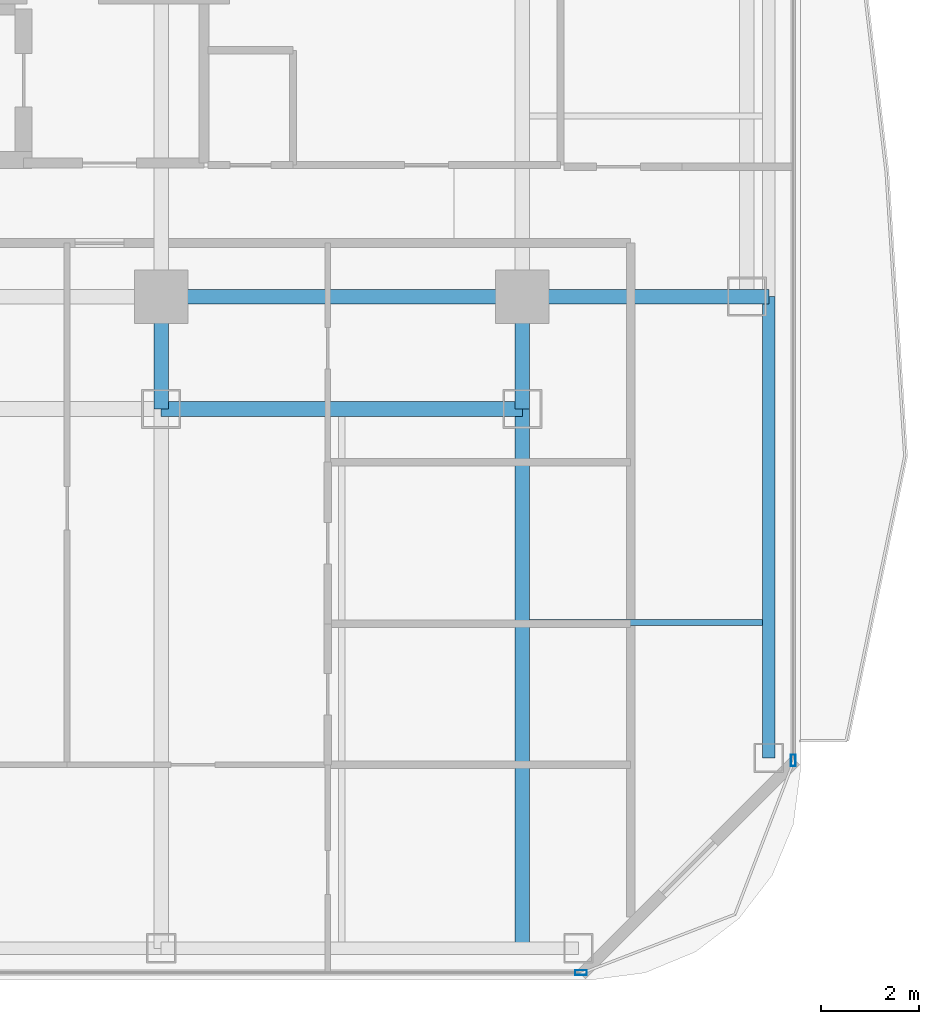
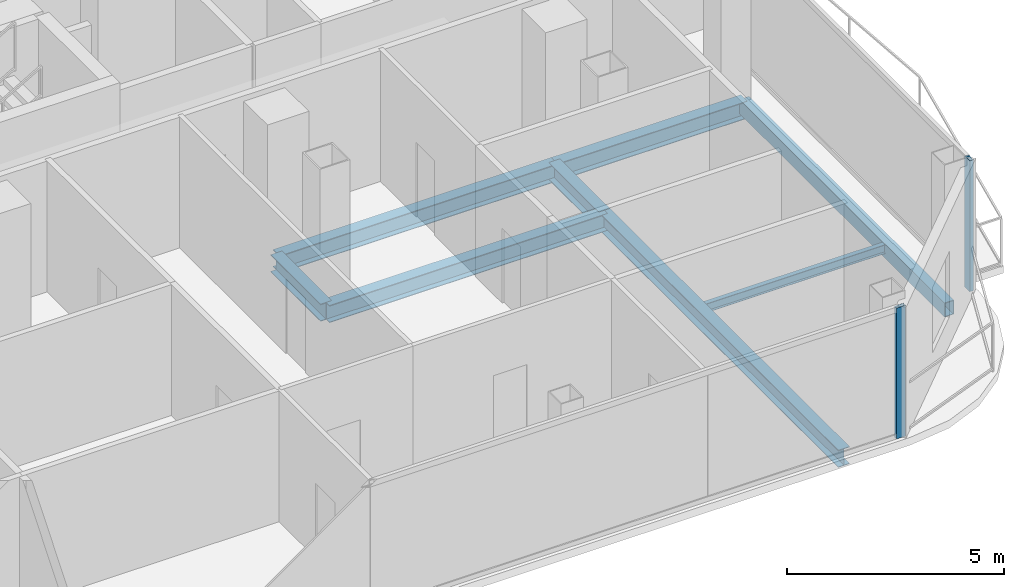
# One storey, part 7 of 23: 8 beams, 2 members, 2 elements without a shape of their own.
"""IFC4 building model written with IfcOpenShell, lengths in metres."""

from ifc_helpers import new_model, si_unit, direction, frame, origin, origin_2d, place, context, subcontext, project, spatial, hollow_rectangle, i_section, extrude, material, layer, layer_set, material_profile, profile_set, type_object, element, aggregate, save


model = new_model("IFC4")

# Units and contexts
model_context = context("Model", 3, precision=1e-05, world=origin(), true_north=direction((0.0, 1.0)))
body_context = subcontext(model_context, "Body", "Model", "MODEL_VIEW")
ifc_project = project(units=[si_unit("LENGTHUNIT", "METRE"), si_unit("AREAUNIT", "SQUARE_METRE"), si_unit("VOLUMEUNIT", "CUBIC_METRE"), si_unit("PLANEANGLEUNIT", "RADIAN"), si_unit("MASSUNIT", "GRAM", prefix="KILO")], contexts=[model_context])

# Site, building, storey
site_placement = place(None, origin())
site = spatial("IfcSite", under=ifc_project, at=site_placement, CompositionType="ELEMENT")
building_placement = place(site_placement, origin())
building = spatial("IfcBuilding", under=site, at=building_placement, Name="Khorvyn Point Tower", CompositionType="ELEMENT")
storey_placement = place(building_placement, frame((0.0, 0.0, 199.199951171875)))
storey = spatial("IfcBuildingStorey", under=building, at=storey_placement, Name="L49", CompositionType="ELEMENT", Elevation=199.199951171875)

# Curtain wall, member
ifc_material_1 = material(Name="Anodised aluminium 6063-T6 and laminated Low-E glass", Category="aluminium")
ifc_layer = layer(ifc_material_1, 0.18994140625)
ifc_layer_set = layer_set([ifc_layer], Name="Stick-Built Acoustic Curtain Wall CW-SYS-03")
curtain_wall_type = type_object("IfcCurtainWallType", Name="Stick-Built Acoustic Curtain Wall CW-SYS-03", PredefinedType="NOTDEFINED", material=ifc_layer_set)
curtain_wall_1_placement = place(storey_placement, origin())
curtain_wall_1 = element("IfcCurtainWall", 1, at=curtain_wall_1_placement, inside=storey, type_object=curtain_wall_type, Name="Curtain Wall", PredefinedType="NOTDEFINED")
ifc_material_2 = material(Name="Anodised aluminium 6063-T6", Category="aluminium")
ifc_material_profile_1 = material_profile(ifc_material_2, hollow_rectangle(XDim=0.10009765625, YDim=0.239990234375, WallThickness=0.0048828125, at=origin_2d()))
ifc_profile_set_1 = profile_set([ifc_material_profile_1], Name="Anodised aluminium 6063-T6 ALU-MUL-100x240")
member_type = type_object("IfcMemberType", Name="Anodised Aluminium 6063-T6 Mullion ALU-MUL-100x240", PredefinedType="MULLION", material=ifc_profile_set_1)
member_1_placement = place(storey_placement, frame((16.0, -28.64990234375, 0.0), z_axis=(0.0, 0.0, 1.0), x_axis=(0.0, -1.0, 0.0)))
member_1 = element("IfcMember", 2, at=member_1_placement, type_object=member_type, Name="Transom", PredefinedType="MULLION", context=body_context, shape_type="SweptSolid", body=[
    extrude(hollow_rectangle(XDim=0.10009765625, YDim=0.239990234375, WallThickness=0.0048828125, at=origin_2d()), origin(), (0.0, 0.0, 1.0), 3.679931640625),
])
aggregate(curtain_wall_1, [member_1])

curtain_wall_2_placement = place(storey_placement, origin())
curtain_wall_2 = element("IfcCurtainWall", 3, at=curtain_wall_2_placement, inside=storey, type_object=curtain_wall_type, Name="Curtain Wall", PredefinedType="NOTDEFINED")
member_2_placement = place(storey_placement, frame((20.35009765625, -24.300048828125, 0.0), z_axis=(0.0, 0.0, 1.0), x_axis=(1.0, 0.0, 0.0)))
member_2 = element("IfcMember", 4, at=member_2_placement, type_object=member_type, Name="Transom", PredefinedType="MULLION", context=body_context, shape_type="SweptSolid", body=[
    extrude(hollow_rectangle(XDim=0.10009765625, YDim=0.239990234375, WallThickness=0.0048828125, at=origin_2d()), origin(), (0.0, 0.0, 1.0), 3.679931640625),
])
aggregate(curtain_wall_2, [member_2])

# Beams
ifc_material_3 = material(Name="Steel S355", Category="steel")
ifc_material_profile_2 = material_profile(ifc_material_3, i_section(OverallWidth=0.125, OverallDepth=0.25, WebThickness=0.006103515625, FlangeThickness=0.009033203125, at=origin_2d()))
ifc_profile_set_2 = profile_set([ifc_material_profile_2], Name="Steel S355 H250x125x6x9")
beam_type_1 = type_object("IfcBeamType", Name="Steel S355 Joist H250x125x6x9", PredefinedType="JOIST", material=ifc_profile_set_2)
beam_1_placement = place(storey_placement, frame((14.949951171875, -21.47509765625, -0.344970703125), z_axis=(1.0, 0.0, 0.0), x_axis=(0.0, 1.0, 0.0)))
element("IfcBeam", 5, at=beam_1_placement, inside=storey, type_object=beam_type_1, Name="Beam", PredefinedType="JOIST", context=body_context, shape_type="SweptSolid", body=[
    extrude(i_section(OverallWidth=0.125, OverallDepth=0.25, WebThickness=0.006103515625, FlangeThickness=0.009033203125, at=origin_2d()), origin(), (0.0, 0.0, 1.0), 4.775146484375),
])
ifc_material_profile_3 = material_profile(ifc_material_3, i_section(OverallWidth=0.300048828125, OverallDepth=0.488037109375, WebThickness=0.010986328125, FlangeThickness=0.01806640625, at=origin_2d()))
ifc_profile_set_3 = profile_set([ifc_material_profile_3], Name="Steel S355 H488x300x11x18")
beam_type_2 = type_object("IfcBeamType", Name="Steel S355 Spandrel H488x300x11x18", PredefinedType="SPANDREL", material=ifc_profile_set_3)
beam_2_placement = place(storey_placement, frame((7.39990234375, -14.800048828125, -0.4638671875), z_axis=(1.0, 0.0, 0.0), x_axis=(0.0, 1.0, 0.0)))
element("IfcBeam", 6, at=beam_2_placement, inside=storey, type_object=beam_type_2, Name="Beam", PredefinedType="SPANDREL", context=body_context, shape_type="SweptSolid", body=[
    extrude(i_section(OverallWidth=0.300048828125, OverallDepth=0.488037109375, WebThickness=0.010986328125, FlangeThickness=0.01806640625, at=origin_2d()), origin(), (0.0, 0.0, 1.0), 7.400146484375),
])
beam_3_placement = place(storey_placement, frame((14.800048828125, -14.800048828125, -0.4638671875), z_axis=(1.0, 0.0, 0.0), x_axis=(0.0, 1.0, 0.0)))
element("IfcBeam", 7, at=beam_3_placement, inside=storey, type_object=beam_type_2, Name="Beam", PredefinedType="SPANDREL", context=body_context, shape_type="SweptSolid", body=[
    extrude(i_section(OverallWidth=0.300048828125, OverallDepth=0.488037109375, WebThickness=0.010986328125, FlangeThickness=0.01806640625, at=origin_2d()), origin(), (0.0, 0.0, 1.0), 5.050048828125),
])
beam_4_placement = place(storey_placement, frame((7.39990234375, -17.10009765625, -0.4638671875), z_axis=(1.0, 0.0, 0.0), x_axis=(0.0, 1.0, 0.0)))
element("IfcBeam", 8, at=beam_4_placement, inside=storey, type_object=beam_type_2, Name="Beam", PredefinedType="SPANDREL", context=body_context, shape_type="SweptSolid", body=[
    extrude(i_section(OverallWidth=0.300048828125, OverallDepth=0.488037109375, WebThickness=0.010986328125, FlangeThickness=0.01806640625, at=origin_2d()), origin(), (0.0, 0.0, 1.0), 7.400146484375),
])
beam_5_placement = place(storey_placement, frame((14.800048828125, -28.14990234375, -0.4638671875), z_axis=(0.0, 1.0, 0.0), x_axis=(-1.0, 0.0, 0.0)))
element("IfcBeam", 9, at=beam_5_placement, inside=storey, type_object=beam_type_2, Name="Beam", PredefinedType="SPANDREL", context=body_context, shape_type="SweptSolid", body=[
    extrude(i_section(OverallWidth=0.300048828125, OverallDepth=0.488037109375, WebThickness=0.010986328125, FlangeThickness=0.01806640625, at=origin_2d()), origin(), (0.0, 0.0, 1.0), 11.0498046875),
])
for number, where, z_axis, x_axis, name in (
    (10, (14.800048828125, -17.10009765625, -0.4638671875), (0.0, 1.0, 0.0), (-1.0, 0.0, 0.0), "Beam"),
    (11, (7.39990234375, -17.10009765625, -0.4638671875), (0.0, 1.0, 0.0), (-1.0, 0.0, 0.0), "Beam"),
):
    element("IfcBeam", number, at=place(storey_placement, frame(where, z_axis=z_axis, x_axis=x_axis)), inside=storey, type_object=beam_type_2, Name=name, PredefinedType="SPANDREL", context=body_context, shape_type="SweptSolid", body=[
        extrude(i_section(OverallWidth=0.300048828125, OverallDepth=0.488037109375, WebThickness=0.010986328125, FlangeThickness=0.01806640625, at=origin_2d()), origin(), (0.0, 0.0, 1.0), 2.300048828125),
    ])
ifc_material_profile_4 = material_profile(ifc_material_3, hollow_rectangle(XDim=0.25, YDim=0.39990234375, WallThickness=0.01611328125, at=origin_2d()))
ifc_profile_set_4 = profile_set([ifc_material_profile_4], Name="Steel S355 RHS400x250x16")
beam_type_3 = type_object("IfcBeamType", Name="Steel S355 Spandrel RHS400x250x16", PredefinedType="SPANDREL", material=ifc_profile_set_4)
beam_6_placement = place(storey_placement, frame((19.85009765625, -24.25, -0.419921875), z_axis=(0.0, 1.0, 0.0), x_axis=(-1.0, 0.0, 0.0)))
element("IfcBeam", 12, at=beam_6_placement, inside=storey, type_object=beam_type_3, Name="Beam", PredefinedType="SPANDREL", context=body_context, shape_type="SweptSolid", body=[
    extrude(hollow_rectangle(XDim=0.25, YDim=0.39990234375, WallThickness=0.01611328125, at=origin_2d()), origin(), (0.0, 0.0, 1.0), 9.449951171875),
])

save(model, "model.ifc")
